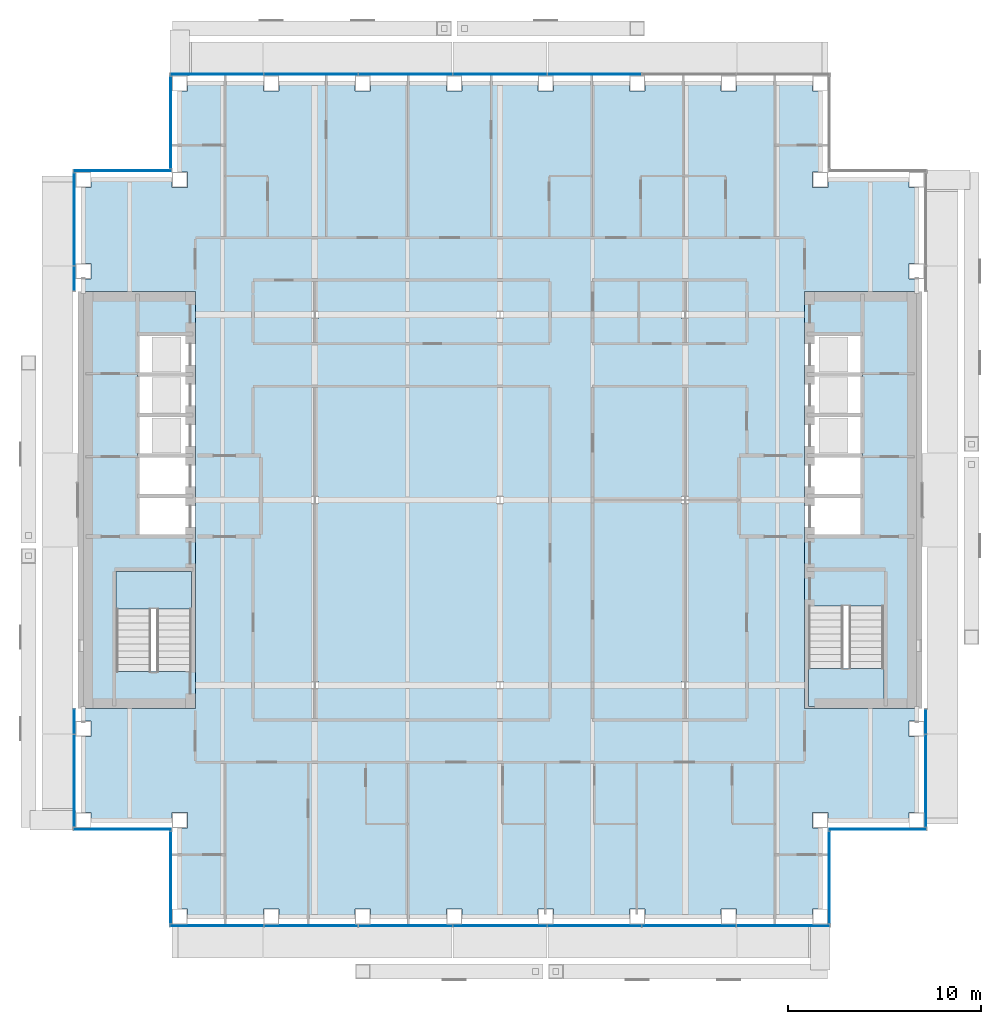
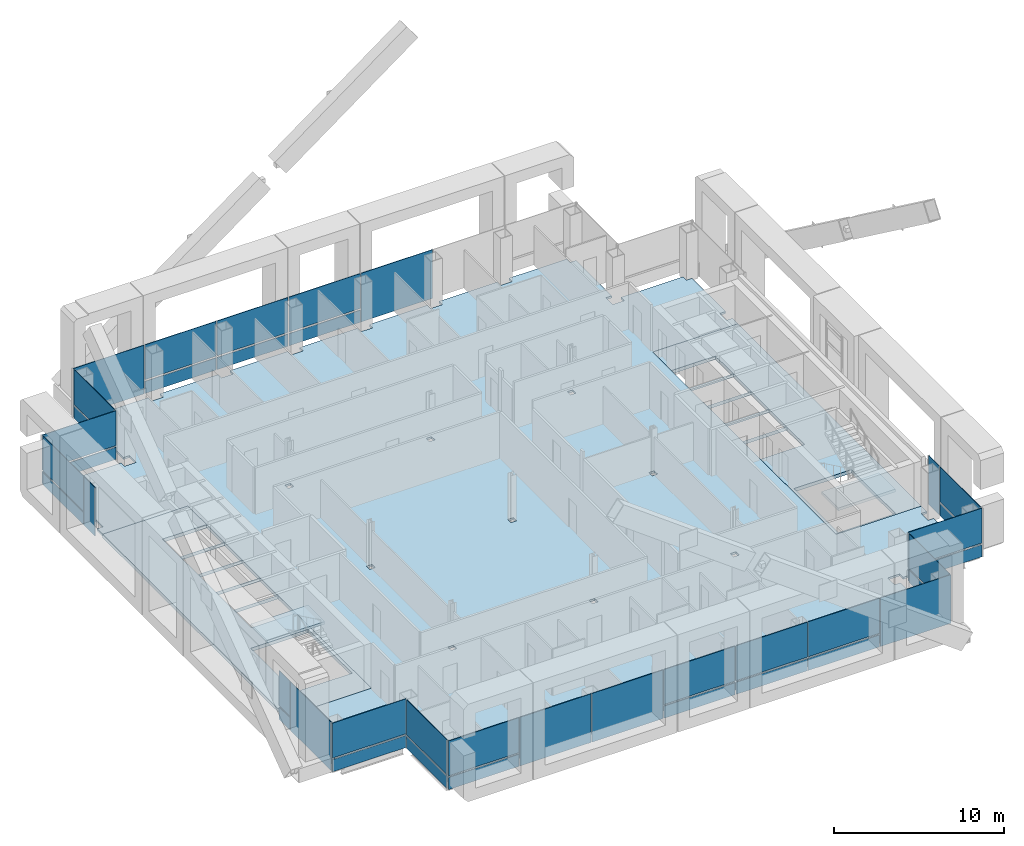
# One storey, part 11 of 22: 40 plates, 5 slabs, 13 elements without a shape of their own.
"""IFC4 building model written with IfcOpenShell, lengths in metres."""

from ifc_helpers import new_model, si_unit, direction, frame, origin, origin_2d, place, context, subcontext, project, spatial, polyline, rectangle, outline, extrude, material, layer, layer_set, type_object, element, aggregate, save


model = new_model("IFC4")

# Units and contexts
model_context = context("Model", 3, precision=1e-05, world=origin(), true_north=direction((0.0, 1.0)))
body_context = subcontext(model_context, "Body", "Model", "MODEL_VIEW")
ifc_project = project(units=[si_unit("LENGTHUNIT", "METRE"), si_unit("AREAUNIT", "SQUARE_METRE"), si_unit("VOLUMEUNIT", "CUBIC_METRE"), si_unit("PLANEANGLEUNIT", "RADIAN"), si_unit("MASSUNIT", "GRAM", prefix="KILO")], contexts=[model_context])

# Site, building, storey
site_placement = place(None, origin())
site = spatial("IfcSite", under=ifc_project, at=site_placement, CompositionType="ELEMENT")
building_placement = place(site_placement, origin())
building = spatial("IfcBuilding", under=site, at=building_placement, Name="Cobrizo Arcos Hotel Tower", CompositionType="ELEMENT")
storey_placement = place(building_placement, frame((0.0, 0.0, 155.0)))
storey = spatial("IfcBuildingStorey", under=building, at=storey_placement, Name="L39", CompositionType="ELEMENT", Elevation=155.0)

# Curtain wall, plates
ifc_material_1 = material(Name="Aluminium 6063-T6 anodised bronze", Category="aluminium")
curtain_wall_type = type_object("IfcCurtainWallType", Name="CW-A guest facade", PredefinedType="NOTDEFINED", material=ifc_material_1)
curtain_wall_1_placement = place(storey_placement, origin())
curtain_wall_1 = element("IfcCurtainWall", 1, at=curtain_wall_1_placement, inside=storey, type_object=curtain_wall_type, Name="CW-A L39 S face", PredefinedType="NOTDEFINED")
ifc_material_2 = material(Name="Glass clear laminated low-e", Category="glass")
ifc_layer_1 = layer(ifc_material_2, 0.0400390625)
ifc_layer_set_1 = layer_set([ifc_layer_1], Name="CW-A glass panel")
plate_type_1 = type_object("IfcPlateType", Name="CW-A glass panel", PredefinedType="CURTAIN_PANEL", material=ifc_layer_set_1)
plate_1_placement = place(storey_placement, frame((-14.68505859375, -22.074951171875, 0.990234375), z_axis=(0.0, 0.0, 1.0), x_axis=(1.0, 0.0, 0.0)))
plate_1 = element("IfcPlate", 2, at=plate_1_placement, type_object=plate_type_1, Name="CW-A glass panel 1396", PredefinedType="CURTAIN_PANEL", context=body_context, shape_type="SweptSolid", body=[
    extrude(rectangle(XDim=4.81005859375, YDim=0.0400390625, at=origin_2d()), origin(), (0.0, 0.0, 1.0), 2.510009765625),
])
plate_2_placement = place(storey_placement, frame((0.0, -22.074951171875, 0.990234375), z_axis=(0.0, 0.0, 1.0), x_axis=(1.0, 0.0, 0.0)))
plate_2 = element("IfcPlate", 3, at=plate_2_placement, type_object=plate_type_1, Name="CW-A glass panel 1399", PredefinedType="CURTAIN_PANEL", context=body_context, shape_type="SweptSolid", body=[
    extrude(rectangle(XDim=4.840087890625, YDim=0.0400390625, at=origin_2d()), origin(), (0.0, 0.0, 1.0), 2.510009765625),
])
plate_3_placement = place(storey_placement, frame((4.89990234375, -22.074951171875, 0.990234375), z_axis=(0.0, 0.0, 1.0), x_axis=(1.0, 0.0, 0.0)))
plate_3 = element("IfcPlate", 4, at=plate_3_placement, type_object=plate_type_1, Name="CW-A glass panel 1400", PredefinedType="CURTAIN_PANEL", context=body_context, shape_type="SweptSolid", body=[
    extrude(rectangle(XDim=4.840087890625, YDim=0.0400390625, at=origin_2d()), origin(), (0.0, 0.0, 1.0), 2.510009765625),
])
plate_4_placement = place(storey_placement, frame((9.800048828125, -22.074951171875, 0.990234375), z_axis=(0.0, 0.0, 1.0), x_axis=(1.0, 0.0, 0.0)))
plate_4 = element("IfcPlate", 5, at=plate_4_placement, type_object=plate_type_1, Name="CW-A glass panel 1401", PredefinedType="CURTAIN_PANEL", context=body_context, shape_type="SweptSolid", body=[
    extrude(rectangle(XDim=4.840087890625, YDim=0.0400390625, at=origin_2d()), origin(), (0.0, 0.0, 1.0), 2.510009765625),
])

# Curtain wall, plate
curtain_wall_2_placement = place(storey_placement, origin())
curtain_wall_2 = element("IfcCurtainWall", 6, at=curtain_wall_2_placement, inside=storey, type_object=curtain_wall_type, Name="CW-A L39 E face", PredefinedType="NOTDEFINED")
plate_5_placement = place(storey_placement, frame((17.074951171875, -19.574951171875, 0.990234375), z_axis=(0.0, 0.0, 1.0), x_axis=(0.0, 1.0, 0.0)))
plate_5 = element("IfcPlate", 7, at=plate_5_placement, type_object=plate_type_1, Name="CW-A glass panel 1403", PredefinedType="CURTAIN_PANEL", context=body_context, shape_type="SweptSolid", body=[
    extrude(rectangle(XDim=4.72998046875, YDim=0.0400390625, at=origin_2d()), origin(), (0.0, 0.0, 1.0), 2.510009765625),
])

curtain_wall_3_placement = place(storey_placement, origin())
curtain_wall_3 = element("IfcCurtainWall", 8, at=curtain_wall_3_placement, inside=storey, type_object=curtain_wall_type, Name="CW-A L39 S face", PredefinedType="NOTDEFINED")
plate_6_placement = place(storey_placement, frame((19.574951171875, -17.074951171875, 0.990234375), z_axis=(0.0, 0.0, 1.0), x_axis=(1.0, 0.0, 0.0)))
plate_6 = element("IfcPlate", 9, at=plate_6_placement, type_object=plate_type_1, Name="CW-A glass panel 1404", PredefinedType="CURTAIN_PANEL", context=body_context, shape_type="SweptSolid", body=[
    extrude(rectangle(XDim=5.030029296875, YDim=0.0400390625, at=origin_2d()), origin(), (0.0, 0.0, 1.0), 2.510009765625),
])

curtain_wall_4_placement = place(storey_placement, origin())
curtain_wall_4 = element("IfcCurtainWall", 10, at=curtain_wall_4_placement, inside=storey, type_object=curtain_wall_type, Name="CW-A L39 E face", PredefinedType="NOTDEFINED")
plate_7_placement = place(storey_placement, frame((22.074951171875, -14.556396484375, 0.990234375), z_axis=(0.0, 0.0, 1.0), x_axis=(0.0, 1.0, 0.0)))
plate_7 = element("IfcPlate", 11, at=plate_7_placement, type_object=plate_type_1, Name="CW-A glass panel 1405", PredefinedType="CURTAIN_PANEL", context=body_context, shape_type="SweptSolid", body=[
    extrude(rectangle(XDim=4.76708984375, YDim=0.0400390625, at=origin_2d()), origin(), (0.0, 0.0, 1.0), 2.510009765625),
])

# Curtain wall, plates
curtain_wall_5_placement = place(storey_placement, origin())
curtain_wall_5 = element("IfcCurtainWall", 12, at=curtain_wall_5_placement, inside=storey, type_object=curtain_wall_type, Name="CW-A L39 N face", PredefinedType="NOTDEFINED")
plate_8_placement = place(storey_placement, frame((0.0, 22.074951171875, 0.990234375), z_axis=(0.0, 0.0, 1.0), x_axis=(-1.0, 0.0, 0.0)))
plate_8 = element("IfcPlate", 13, at=plate_8_placement, type_object=plate_type_1, Name="CW-A glass panel 1414", PredefinedType="CURTAIN_PANEL", context=body_context, shape_type="SweptSolid", body=[
    extrude(rectangle(XDim=4.840087890625, YDim=0.0400390625, at=origin_2d()), origin(), (0.0, 0.0, 1.0), 2.510009765625),
])
plate_9_placement = place(storey_placement, frame((-4.89990234375, 22.074951171875, 0.990234375), z_axis=(0.0, 0.0, 1.0), x_axis=(-1.0, 0.0, 0.0)))
plate_9 = element("IfcPlate", 14, at=plate_9_placement, type_object=plate_type_1, Name="CW-A glass panel 1415", PredefinedType="CURTAIN_PANEL", context=body_context, shape_type="SweptSolid", body=[
    extrude(rectangle(XDim=4.840087890625, YDim=0.0400390625, at=origin_2d()), origin(), (0.0, 0.0, 1.0), 2.510009765625),
])
plate_10_placement = place(storey_placement, frame((-9.800048828125, 22.074951171875, 0.990234375), z_axis=(0.0, 0.0, 1.0), x_axis=(-1.0, 0.0, 0.0)))
plate_10 = element("IfcPlate", 15, at=plate_10_placement, type_object=plate_type_1, Name="CW-A glass panel 1416", PredefinedType="CURTAIN_PANEL", context=body_context, shape_type="SweptSolid", body=[
    extrude(rectangle(XDim=4.840087890625, YDim=0.0400390625, at=origin_2d()), origin(), (0.0, 0.0, 1.0), 2.510009765625),
])

# Curtain wall, plate
curtain_wall_6_placement = place(storey_placement, origin())
curtain_wall_6 = element("IfcCurtainWall", 16, at=curtain_wall_6_placement, inside=storey, type_object=curtain_wall_type, Name="CW-A L39 W face", PredefinedType="NOTDEFINED")
plate_11_placement = place(storey_placement, frame((-17.074951171875, 19.574951171875, 0.990234375), z_axis=(0.0, 0.0, 1.0), x_axis=(0.0, -1.0, 0.0)))
plate_11 = element("IfcPlate", 17, at=plate_11_placement, type_object=plate_type_1, Name="CW-A glass panel 1418", PredefinedType="CURTAIN_PANEL", context=body_context, shape_type="SweptSolid", body=[
    extrude(rectangle(XDim=4.72998046875, YDim=0.0400390625, at=origin_2d()), origin(), (0.0, 0.0, 1.0), 2.510009765625),
])

curtain_wall_7_placement = place(storey_placement, origin())
curtain_wall_7 = element("IfcCurtainWall", 18, at=curtain_wall_7_placement, inside=storey, type_object=curtain_wall_type, Name="CW-A L39 N face", PredefinedType="NOTDEFINED")
plate_12_placement = place(storey_placement, frame((-19.574951171875, 17.074951171875, 0.990234375), z_axis=(0.0, 0.0, 1.0), x_axis=(-1.0, 0.0, 0.0)))
plate_12 = element("IfcPlate", 19, at=plate_12_placement, type_object=plate_type_1, Name="CW-A glass panel 1419", PredefinedType="CURTAIN_PANEL", context=body_context, shape_type="SweptSolid", body=[
    extrude(rectangle(XDim=5.030029296875, YDim=0.0400390625, at=origin_2d()), origin(), (0.0, 0.0, 1.0), 2.510009765625),
])

curtain_wall_8_placement = place(storey_placement, origin())
curtain_wall_8 = element("IfcCurtainWall", 20, at=curtain_wall_8_placement, inside=storey, type_object=curtain_wall_type, Name="CW-A L39 W face", PredefinedType="NOTDEFINED")
plate_13_placement = place(storey_placement, frame((-22.074951171875, 14.556396484375, 0.990234375), z_axis=(0.0, 0.0, 1.0), x_axis=(0.0, -1.0, 0.0)))
plate_13 = element("IfcPlate", 21, at=plate_13_placement, type_object=plate_type_1, Name="CW-A glass panel 1420", PredefinedType="CURTAIN_PANEL", context=body_context, shape_type="SweptSolid", body=[
    extrude(rectangle(XDim=4.76708984375, YDim=0.0400390625, at=origin_2d()), origin(), (0.0, 0.0, 1.0), 2.510009765625),
])

curtain_wall_9_placement = place(storey_placement, origin())
curtain_wall_9 = element("IfcCurtainWall", 22, at=curtain_wall_9_placement, inside=storey, type_object=curtain_wall_type, Name="CW-A L39 W face", PredefinedType="NOTDEFINED")
plate_14_placement = place(storey_placement, frame((-22.074951171875, -11.486328125, 0.990234375), z_axis=(0.0, 0.0, 1.0), x_axis=(0.0, -1.0, 0.0)))
plate_14 = element("IfcPlate", 23, at=plate_14_placement, type_object=plate_type_1, Name="CW-A glass panel 1422", PredefinedType="CURTAIN_PANEL", context=body_context, shape_type="SweptSolid", body=[
    extrude(rectangle(XDim=1.2529296875, YDim=0.0400390625, at=origin_2d()), origin(), (0.0, 0.0, 1.0), 2.510009765625),
])

curtain_wall_10_placement = place(storey_placement, origin())
curtain_wall_10 = element("IfcCurtainWall", 24, at=curtain_wall_10_placement, inside=storey, type_object=curtain_wall_type, Name="CW-A L39 S face", PredefinedType="NOTDEFINED")
plate_15_placement = place(storey_placement, frame((-19.574951171875, -17.074951171875, 0.990234375), z_axis=(0.0, 0.0, 1.0), x_axis=(1.0, 0.0, 0.0)))
plate_15 = element("IfcPlate", 25, at=plate_15_placement, type_object=plate_type_1, Name="CW-A glass panel 1424", PredefinedType="CURTAIN_PANEL", context=body_context, shape_type="SweptSolid", body=[
    extrude(rectangle(XDim=5.030029296875, YDim=0.0400390625, at=origin_2d()), origin(), (0.0, 0.0, 1.0), 2.510009765625),
])

curtain_wall_11_placement = place(storey_placement, origin())
curtain_wall_11 = element("IfcCurtainWall", 26, at=curtain_wall_11_placement, inside=storey, type_object=curtain_wall_type, Name="CW-A L39 W face", PredefinedType="NOTDEFINED")
plate_16_placement = place(storey_placement, frame((-17.074951171875, -19.574951171875, 0.990234375), z_axis=(0.0, 0.0, 1.0), x_axis=(0.0, -1.0, 0.0)))
plate_16 = element("IfcPlate", 27, at=plate_16_placement, type_object=plate_type_1, Name="CW-A glass panel 1425", PredefinedType="CURTAIN_PANEL", context=body_context, shape_type="SweptSolid", body=[
    extrude(rectangle(XDim=4.72998046875, YDim=0.0400390625, at=origin_2d()), origin(), (0.0, 0.0, 1.0), 2.510009765625),
])

# Plate
ifc_material_3 = material(Name="Aluminium composite panel pale metal", Category="aluminium")
ifc_layer_2 = layer(ifc_material_3, 0.0400390625)
ifc_layer_set_2 = layer_set([ifc_layer_2], Name="CW-A spandrel panel")
plate_type_2 = type_object("IfcPlateType", Name="CW-A spandrel panel", PredefinedType="CURTAIN_PANEL", material=ifc_layer_set_2)
plate_17_placement = place(storey_placement, frame((-14.68505859375, -22.074951171875, 0.0), z_axis=(0.0, 0.0, 1.0), x_axis=(1.0, 0.0, 0.0)))
plate_17 = element("IfcPlate", 28, at=plate_17_placement, type_object=plate_type_2, Name="CW-A spandrel panel 1396", PredefinedType="CURTAIN_PANEL", context=body_context, shape_type="SweptSolid", body=[
    extrude(rectangle(XDim=4.81005859375, YDim=0.0400390625, at=origin_2d()), origin(), (0.0, 0.0, 1.0), 0.8701171875),
])

plate_18_placement = place(storey_placement, frame((-9.800048828125, -22.074951171875, 0.0), z_axis=(0.0, 0.0, 1.0), x_axis=(1.0, 0.0, 0.0)))
plate_18 = element("IfcPlate", 29, at=plate_18_placement, type_object=plate_type_2, Name="CW-A spandrel panel 1397", PredefinedType="CURTAIN_PANEL", context=body_context, shape_type="SweptSolid", body=[
    extrude(rectangle(XDim=4.840087890625, YDim=0.0400390625, at=origin_2d()), origin(), (0.0, 0.0, 1.0), 3.5),
])

plate_19_placement = place(storey_placement, frame((-4.89990234375, -22.074951171875, 0.0), z_axis=(0.0, 0.0, 1.0), x_axis=(1.0, 0.0, 0.0)))
plate_19 = element("IfcPlate", 30, at=plate_19_placement, type_object=plate_type_2, Name="CW-A spandrel panel 1398", PredefinedType="CURTAIN_PANEL", context=body_context, shape_type="SweptSolid", body=[
    extrude(rectangle(XDim=4.840087890625, YDim=0.0400390625, at=origin_2d()), origin(), (0.0, 0.0, 1.0), 3.5),
])

plate_20_placement = place(storey_placement, frame((0.0, -22.074951171875, 0.0), z_axis=(0.0, 0.0, 1.0), x_axis=(1.0, 0.0, 0.0)))
plate_20 = element("IfcPlate", 31, at=plate_20_placement, type_object=plate_type_2, Name="CW-A spandrel panel 1399", PredefinedType="CURTAIN_PANEL", context=body_context, shape_type="SweptSolid", body=[
    extrude(rectangle(XDim=4.840087890625, YDim=0.0400390625, at=origin_2d()), origin(), (0.0, 0.0, 1.0), 0.8701171875),
])

plate_21_placement = place(storey_placement, frame((4.89990234375, -22.074951171875, 0.0), z_axis=(0.0, 0.0, 1.0), x_axis=(1.0, 0.0, 0.0)))
plate_21 = element("IfcPlate", 32, at=plate_21_placement, type_object=plate_type_2, Name="CW-A spandrel panel 1400", PredefinedType="CURTAIN_PANEL", context=body_context, shape_type="SweptSolid", body=[
    extrude(rectangle(XDim=4.840087890625, YDim=0.0400390625, at=origin_2d()), origin(), (0.0, 0.0, 1.0), 0.8701171875),
])

plate_22_placement = place(storey_placement, frame((9.800048828125, -22.074951171875, 0.0), z_axis=(0.0, 0.0, 1.0), x_axis=(1.0, 0.0, 0.0)))
plate_22 = element("IfcPlate", 33, at=plate_22_placement, type_object=plate_type_2, Name="CW-A spandrel panel 1401", PredefinedType="CURTAIN_PANEL", context=body_context, shape_type="SweptSolid", body=[
    extrude(rectangle(XDim=4.840087890625, YDim=0.0400390625, at=origin_2d()), origin(), (0.0, 0.0, 1.0), 0.8701171875),
])

plate_23_placement = place(storey_placement, frame((14.68505859375, -22.074951171875, 0.0), z_axis=(0.0, 0.0, 1.0), x_axis=(1.0, 0.0, 0.0)))
plate_23 = element("IfcPlate", 34, at=plate_23_placement, type_object=plate_type_2, Name="CW-A spandrel panel 1402", PredefinedType="CURTAIN_PANEL", context=body_context, shape_type="SweptSolid", body=[
    extrude(rectangle(XDim=4.81005859375, YDim=0.0400390625, at=origin_2d()), origin(), (0.0, 0.0, 1.0), 3.5),
])

aggregate(curtain_wall_1, [plate_17, plate_1, plate_18, plate_19, plate_20, plate_2, plate_21, plate_3, plate_22, plate_4, plate_23])

plate_24_placement = place(storey_placement, frame((17.074951171875, -19.574951171875, 0.0), z_axis=(0.0, 0.0, 1.0), x_axis=(0.0, 1.0, 0.0)))
plate_24 = element("IfcPlate", 35, at=plate_24_placement, type_object=plate_type_2, Name="CW-A spandrel panel 1403", PredefinedType="CURTAIN_PANEL", context=body_context, shape_type="SweptSolid", body=[
    extrude(rectangle(XDim=4.72998046875, YDim=0.0400390625, at=origin_2d()), origin(), (0.0, 0.0, 1.0), 0.8701171875),
])

aggregate(curtain_wall_2, [plate_24, plate_5])

plate_25_placement = place(storey_placement, frame((19.574951171875, -17.074951171875, 0.0), z_axis=(0.0, 0.0, 1.0), x_axis=(1.0, 0.0, 0.0)))
plate_25 = element("IfcPlate", 36, at=plate_25_placement, type_object=plate_type_2, Name="CW-A spandrel panel 1404", PredefinedType="CURTAIN_PANEL", context=body_context, shape_type="SweptSolid", body=[
    extrude(rectangle(XDim=5.030029296875, YDim=0.0400390625, at=origin_2d()), origin(), (0.0, 0.0, 1.0), 0.8701171875),
])

aggregate(curtain_wall_3, [plate_25, plate_6])

plate_26_placement = place(storey_placement, frame((22.074951171875, -14.556396484375, 0.0), z_axis=(0.0, 0.0, 1.0), x_axis=(0.0, 1.0, 0.0)))
plate_26 = element("IfcPlate", 37, at=plate_26_placement, type_object=plate_type_2, Name="CW-A spandrel panel 1405", PredefinedType="CURTAIN_PANEL", context=body_context, shape_type="SweptSolid", body=[
    extrude(rectangle(XDim=4.76708984375, YDim=0.0400390625, at=origin_2d()), origin(), (0.0, 0.0, 1.0), 0.8701171875),
])

plate_27_placement = place(storey_placement, frame((22.074951171875, -11.486328125, 0.0), z_axis=(0.0, 0.0, 1.0), x_axis=(0.0, 1.0, 0.0)))
plate_27 = element("IfcPlate", 38, at=plate_27_placement, type_object=plate_type_2, Name="CW-A spandrel panel 1406", PredefinedType="CURTAIN_PANEL", context=body_context, shape_type="SweptSolid", body=[
    extrude(rectangle(XDim=1.2529296875, YDim=0.0400390625, at=origin_2d()), origin(), (0.0, 0.0, 1.0), 3.5),
])

aggregate(curtain_wall_4, [plate_26, plate_7, plate_27])

plate_28_placement = place(storey_placement, frame((4.89990234375, 22.074951171875, 0.0), z_axis=(0.0, 0.0, 1.0), x_axis=(-1.0, 0.0, 0.0)))
plate_28 = element("IfcPlate", 39, at=plate_28_placement, type_object=plate_type_2, Name="CW-A spandrel panel 1413", PredefinedType="CURTAIN_PANEL", context=body_context, shape_type="SweptSolid", body=[
    extrude(rectangle(XDim=4.840087890625, YDim=0.0400390625, at=origin_2d()), origin(), (0.0, 0.0, 1.0), 3.5),
])

plate_29_placement = place(storey_placement, frame((0.0, 22.074951171875, 0.0), z_axis=(0.0, 0.0, 1.0), x_axis=(-1.0, 0.0, 0.0)))
plate_29 = element("IfcPlate", 40, at=plate_29_placement, type_object=plate_type_2, Name="CW-A spandrel panel 1414", PredefinedType="CURTAIN_PANEL", context=body_context, shape_type="SweptSolid", body=[
    extrude(rectangle(XDim=4.840087890625, YDim=0.0400390625, at=origin_2d()), origin(), (0.0, 0.0, 1.0), 0.8701171875),
])

plate_30_placement = place(storey_placement, frame((-4.89990234375, 22.074951171875, 0.0), z_axis=(0.0, 0.0, 1.0), x_axis=(-1.0, 0.0, 0.0)))
plate_30 = element("IfcPlate", 41, at=plate_30_placement, type_object=plate_type_2, Name="CW-A spandrel panel 1415", PredefinedType="CURTAIN_PANEL", context=body_context, shape_type="SweptSolid", body=[
    extrude(rectangle(XDim=4.840087890625, YDim=0.0400390625, at=origin_2d()), origin(), (0.0, 0.0, 1.0), 0.8701171875),
])

plate_31_placement = place(storey_placement, frame((-9.800048828125, 22.074951171875, 0.0), z_axis=(0.0, 0.0, 1.0), x_axis=(-1.0, 0.0, 0.0)))
plate_31 = element("IfcPlate", 42, at=plate_31_placement, type_object=plate_type_2, Name="CW-A spandrel panel 1416", PredefinedType="CURTAIN_PANEL", context=body_context, shape_type="SweptSolid", body=[
    extrude(rectangle(XDim=4.840087890625, YDim=0.0400390625, at=origin_2d()), origin(), (0.0, 0.0, 1.0), 0.8701171875),
])

plate_32_placement = place(storey_placement, frame((-14.68505859375, 22.074951171875, 0.0), z_axis=(0.0, 0.0, 1.0), x_axis=(-1.0, 0.0, 0.0)))
plate_32 = element("IfcPlate", 43, at=plate_32_placement, type_object=plate_type_2, Name="CW-A spandrel panel 1417", PredefinedType="CURTAIN_PANEL", context=body_context, shape_type="SweptSolid", body=[
    extrude(rectangle(XDim=4.81005859375, YDim=0.0400390625, at=origin_2d()), origin(), (0.0, 0.0, 1.0), 3.5),
])

aggregate(curtain_wall_5, [plate_28, plate_29, plate_8, plate_30, plate_9, plate_31, plate_10, plate_32])

plate_33_placement = place(storey_placement, frame((-17.074951171875, 19.574951171875, 0.0), z_axis=(0.0, 0.0, 1.0), x_axis=(0.0, -1.0, 0.0)))
plate_33 = element("IfcPlate", 44, at=plate_33_placement, type_object=plate_type_2, Name="CW-A spandrel panel 1418", PredefinedType="CURTAIN_PANEL", context=body_context, shape_type="SweptSolid", body=[
    extrude(rectangle(XDim=4.72998046875, YDim=0.0400390625, at=origin_2d()), origin(), (0.0, 0.0, 1.0), 0.8701171875),
])

aggregate(curtain_wall_6, [plate_33, plate_11])

plate_34_placement = place(storey_placement, frame((-19.574951171875, 17.074951171875, 0.0), z_axis=(0.0, 0.0, 1.0), x_axis=(-1.0, 0.0, 0.0)))
plate_34 = element("IfcPlate", 45, at=plate_34_placement, type_object=plate_type_2, Name="CW-A spandrel panel 1419", PredefinedType="CURTAIN_PANEL", context=body_context, shape_type="SweptSolid", body=[
    extrude(rectangle(XDim=5.030029296875, YDim=0.0400390625, at=origin_2d()), origin(), (0.0, 0.0, 1.0), 0.8701171875),
])

aggregate(curtain_wall_7, [plate_34, plate_12])

plate_35_placement = place(storey_placement, frame((-22.074951171875, 14.556396484375, 0.0), z_axis=(0.0, 0.0, 1.0), x_axis=(0.0, -1.0, 0.0)))
plate_35 = element("IfcPlate", 46, at=plate_35_placement, type_object=plate_type_2, Name="CW-A spandrel panel 1420", PredefinedType="CURTAIN_PANEL", context=body_context, shape_type="SweptSolid", body=[
    extrude(rectangle(XDim=4.76708984375, YDim=0.0400390625, at=origin_2d()), origin(), (0.0, 0.0, 1.0), 0.8701171875),
])

plate_36_placement = place(storey_placement, frame((-22.074951171875, 11.486328125, 0.0), z_axis=(0.0, 0.0, 1.0), x_axis=(0.0, -1.0, 0.0)))
plate_36 = element("IfcPlate", 47, at=plate_36_placement, type_object=plate_type_2, Name="CW-A spandrel panel 1421", PredefinedType="CURTAIN_PANEL", context=body_context, shape_type="SweptSolid", body=[
    extrude(rectangle(XDim=1.2529296875, YDim=0.0400390625, at=origin_2d()), origin(), (0.0, 0.0, 1.0), 3.5),
])

aggregate(curtain_wall_8, [plate_35, plate_13, plate_36])

plate_37_placement = place(storey_placement, frame((-22.074951171875, -11.486328125, 0.0), z_axis=(0.0, 0.0, 1.0), x_axis=(0.0, -1.0, 0.0)))
plate_37 = element("IfcPlate", 48, at=plate_37_placement, type_object=plate_type_2, Name="CW-A spandrel panel 1422", PredefinedType="CURTAIN_PANEL", context=body_context, shape_type="SweptSolid", body=[
    extrude(rectangle(XDim=1.2529296875, YDim=0.0400390625, at=origin_2d()), origin(), (0.0, 0.0, 1.0), 0.8701171875),
])

plate_38_placement = place(storey_placement, frame((-22.074951171875, -14.556396484375, 0.0), z_axis=(0.0, 0.0, 1.0), x_axis=(0.0, -1.0, 0.0)))
plate_38 = element("IfcPlate", 49, at=plate_38_placement, type_object=plate_type_2, Name="CW-A spandrel panel 1423", PredefinedType="CURTAIN_PANEL", context=body_context, shape_type="SweptSolid", body=[
    extrude(rectangle(XDim=4.76708984375, YDim=0.0400390625, at=origin_2d()), origin(), (0.0, 0.0, 1.0), 3.5),
])

aggregate(curtain_wall_9, [plate_37, plate_14, plate_38])

plate_39_placement = place(storey_placement, frame((-19.574951171875, -17.074951171875, 0.0), z_axis=(0.0, 0.0, 1.0), x_axis=(1.0, 0.0, 0.0)))
plate_39 = element("IfcPlate", 50, at=plate_39_placement, type_object=plate_type_2, Name="CW-A spandrel panel 1424", PredefinedType="CURTAIN_PANEL", context=body_context, shape_type="SweptSolid", body=[
    extrude(rectangle(XDim=5.030029296875, YDim=0.0400390625, at=origin_2d()), origin(), (0.0, 0.0, 1.0), 0.8701171875),
])

aggregate(curtain_wall_10, [plate_39, plate_15])

plate_40_placement = place(storey_placement, frame((-17.074951171875, -19.574951171875, 0.0), z_axis=(0.0, 0.0, 1.0), x_axis=(0.0, -1.0, 0.0)))
plate_40 = element("IfcPlate", 51, at=plate_40_placement, type_object=plate_type_2, Name="CW-A spandrel panel 1425", PredefinedType="CURTAIN_PANEL", context=body_context, shape_type="SweptSolid", body=[
    extrude(rectangle(XDim=4.72998046875, YDim=0.0400390625, at=origin_2d()), origin(), (0.0, 0.0, 1.0), 0.8701171875),
])

aggregate(curtain_wall_11, [plate_40, plate_16])

# Slabs
ifc_material_4 = material(Name="Concrete f'c 35 MPa", Category="concrete")
ifc_layer_3 = layer(ifc_material_4, 0.14990234375)
ifc_layer_set_3 = layer_set([ifc_layer_3], Name="Composite floor slab 150 f'c 35")
slab_type_1 = type_object("IfcSlabType", Name="Composite floor slab 150 f'c 35", PredefinedType="FLOOR", material=ifc_layer_set_3)
slab_1_placement = place(storey_placement, frame((0.0, 0.0, -0.14990234375)))
element("IfcSlab", 52, at=slab_1_placement, inside=storey, type_object=slab_type_1, Name="Floor slab S5, L39, no. 01", PredefinedType="FLOOR", context=body_context, shape_type="SweptSolid", body=[
    extrude(outline(polyline([(-16.199951171875, -21.60009765625), (-16.199951171875, -21.199951171875), (-16.60009765625, -21.199951171875), (-16.60009765625, -17.0), (-16.199951171875, -17.0), (-16.199951171875, -16.199951171875), (-17.0, -16.199951171875), (-17.0, -16.60009765625), (-21.199951171875, -16.60009765625), (-21.199951171875, -16.199951171875), (-21.60009765625, -16.199951171875), (-21.60009765625, -12.257080078125), (-21.199951171875, -12.257080078125), (-21.199951171875, -11.45703125), (-21.60009765625, -11.45703125), (-21.60009765625, -10.800048828125), (-15.800048828125, -10.800048828125), (-15.800048828125, 10.800048828125), (-21.60009765625, 10.800048828125), (-21.60009765625, 11.45703125), (-21.199951171875, 11.45703125), (-21.199951171875, 12.257080078125), (-21.60009765625, 12.257080078125), (-21.60009765625, 16.199951171875), (-21.199951171875, 16.199951171875), (-21.199951171875, 16.60009765625), (-17.0, 16.60009765625), (-17.0, 16.199951171875), (-16.199951171875, 16.199951171875), (-16.199951171875, 17.0), (-16.60009765625, 17.0), (-16.60009765625, 21.199951171875), (-16.199951171875, 21.199951171875), (-16.199951171875, 21.60009765625), (-12.257080078125, 21.60009765625), (-12.257080078125, 21.199951171875), (-11.45703125, 21.199951171875), (-11.45703125, 21.60009765625), (-7.513916015625, 21.60009765625), (-7.513916015625, 21.199951171875), (-6.714111328125, 21.199951171875), (-6.714111328125, 21.60009765625), (-2.77099609375, 21.60009765625), (-2.77099609375, 21.199951171875), (-1.970947265625, 21.199951171875), (-1.970947265625, 21.60009765625), (1.970947265625, 21.60009765625), (1.970947265625, 21.199951171875), (2.77099609375, 21.199951171875), (2.77099609375, 21.60009765625), (6.714111328125, 21.60009765625), (6.714111328125, 21.199951171875), (7.513916015625, 21.199951171875), (7.513916015625, 21.60009765625), (11.45703125, 21.60009765625), (11.45703125, 21.199951171875), (12.257080078125, 21.199951171875), (12.257080078125, 21.60009765625), (16.199951171875, 21.60009765625), (16.199951171875, 21.199951171875), (16.60009765625, 21.199951171875), (16.60009765625, 17.0), (16.199951171875, 17.0), (16.199951171875, 16.199951171875), (17.0, 16.199951171875), (17.0, 16.60009765625), (21.199951171875, 16.60009765625), (21.199951171875, 16.199951171875), (21.60009765625, 16.199951171875), (21.60009765625, 12.257080078125), (21.199951171875, 12.257080078125), (21.199951171875, 11.45703125), (21.60009765625, 11.45703125), (21.60009765625, 10.800048828125), (15.800048828125, 10.800048828125), (15.800048828125, -10.800048828125), (21.60009765625, -10.800048828125), (21.60009765625, -11.45703125), (21.199951171875, -11.45703125), (21.199951171875, -12.257080078125), (21.60009765625, -12.257080078125), (21.60009765625, -16.199951171875), (21.199951171875, -16.199951171875), (21.199951171875, -16.60009765625), (17.0, -16.60009765625), (17.0, -16.199951171875), (16.199951171875, -16.199951171875), (16.199951171875, -17.0), (16.60009765625, -17.0), (16.60009765625, -21.199951171875), (16.199951171875, -21.199951171875), (16.199951171875, -21.60009765625), (12.257080078125, -21.60009765625), (12.257080078125, -21.199951171875), (11.45703125, -21.199951171875), (11.45703125, -21.60009765625), (7.513916015625, -21.60009765625), (7.513916015625, -21.199951171875), (6.714111328125, -21.199951171875), (6.714111328125, -21.60009765625), (2.77099609375, -21.60009765625), (2.77099609375, -21.199951171875), (1.970947265625, -21.199951171875), (1.970947265625, -21.60009765625), (-1.970947265625, -21.60009765625), (-1.970947265625, -21.199951171875), (-2.77099609375, -21.199951171875), (-2.77099609375, -21.60009765625), (-6.714111328125, -21.60009765625), (-6.714111328125, -21.199951171875), (-7.513916015625, -21.199951171875), (-7.513916015625, -21.60009765625), (-11.45703125, -21.60009765625), (-11.45703125, -21.199951171875), (-12.257080078125, -21.199951171875), (-12.257080078125, -21.60009765625), (-16.199951171875, -21.60009765625)]), holes=[polyline([(-0.186767578125, -9.78662109375), (0.186767578125, -9.78662109375), (0.186767578125, -9.413330078125), (-0.186767578125, -9.413330078125), (-0.186767578125, -9.78662109375)]), polyline([(-9.78662109375, -9.78662109375), (-9.413330078125, -9.78662109375), (-9.413330078125, -9.413330078125), (-9.78662109375, -9.413330078125), (-9.78662109375, -9.78662109375)]), polyline([(-9.413330078125, -0.186767578125), (-9.413330078125, 0.186767578125), (-9.78662109375, 0.186767578125), (-9.78662109375, -0.186767578125), (-9.413330078125, -0.186767578125)]), polyline([(0.186767578125, -0.186767578125), (0.186767578125, 0.186767578125), (-0.186767578125, 0.186767578125), (-0.186767578125, -0.186767578125), (0.186767578125, -0.186767578125)]), polyline([(-9.78662109375, 9.413330078125), (-9.413330078125, 9.413330078125), (-9.413330078125, 9.78662109375), (-9.78662109375, 9.78662109375), (-9.78662109375, 9.413330078125)]), polyline([(9.413330078125, -9.78662109375), (9.78662109375, -9.78662109375), (9.78662109375, -9.413330078125), (9.413330078125, -9.413330078125), (9.413330078125, -9.78662109375)]), polyline([(9.413330078125, -0.186767578125), (9.78662109375, -0.186767578125), (9.78662109375, 0.186767578125), (9.413330078125, 0.186767578125), (9.413330078125, -0.186767578125)]), polyline([(9.78662109375, 9.413330078125), (9.78662109375, 9.78662109375), (9.413330078125, 9.78662109375), (9.413330078125, 9.413330078125), (9.78662109375, 9.413330078125)]), polyline([(0.186767578125, 9.413330078125), (0.186767578125, 9.78662109375), (-0.186767578125, 9.78662109375), (-0.186767578125, 9.413330078125), (0.186767578125, 9.413330078125)])]), origin(), (0.0, 0.0, 1.0), 0.14990234375),
])
ifc_material_5 = material(Name="Concrete f'c 50 MPa", Category="concrete")
ifc_layer_4 = layer(ifc_material_5, 0.25)
ifc_layer_set_4 = layer_set([ifc_layer_4], Name="RC core floor slab 250 f'c 50")
slab_type_2 = type_object("IfcSlabType", Name="RC core floor slab 250 f'c 50", PredefinedType="FLOOR", material=ifc_layer_set_4)
slab_2_placement = place(storey_placement, frame((0.0, 0.0, -0.25)))
element("IfcSlab", 53, at=slab_2_placement, inside=storey, type_object=slab_type_2, Name="Core floor slab CS5, east core, L39", PredefinedType="FLOOR", context=body_context, shape_type="SweptSolid", body=[
    extrude(outline(polyline([(15.800048828125, 10.800048828125), (21.60009765625, 10.800048828125), (21.60009765625, -10.800048828125), (15.800048828125, -10.800048828125), (15.800048828125, 10.800048828125)]), holes=[polyline([(19.89794921875, -10.697998046875), (19.89794921875, -5.501953125), (16.001953125, -5.501953125), (16.001953125, -10.697998046875), (19.89794921875, -10.697998046875)]), polyline([(15.802001953125, 0.197998046875), (15.802001953125, -1.89794921875), (18.798095703125, -1.89794921875), (18.798095703125, 0.197998046875), (15.802001953125, 0.197998046875)]), polyline([(15.802001953125, 2.298095703125), (15.802001953125, 0.201904296875), (18.798095703125, 0.201904296875), (18.798095703125, 2.298095703125), (15.802001953125, 2.298095703125)]), polyline([(15.802001953125, 4.39794921875), (15.802001953125, 2.302001953125), (18.798095703125, 2.302001953125), (18.798095703125, 4.39794921875), (15.802001953125, 4.39794921875)]), polyline([(18.798095703125, 6.498046875), (15.802001953125, 6.498046875), (15.802001953125, 4.402099609375), (18.798095703125, 4.402099609375), (18.798095703125, 6.498046875)]), polyline([(18.798095703125, 8.597900390625), (15.802001953125, 8.597900390625), (15.802001953125, 6.501953125), (18.798095703125, 6.501953125), (18.798095703125, 8.597900390625)])]), origin(), (0.0, 0.0, 1.0), 0.25),
])
slab_3_placement = place(storey_placement, frame((0.0, 0.0, -0.25)))
element("IfcSlab", 54, at=slab_3_placement, inside=storey, type_object=slab_type_2, Name="Core floor slab CS5, west core, L39", PredefinedType="FLOOR", context=body_context, shape_type="SweptSolid", body=[
    extrude(outline(polyline([(-21.60009765625, 10.800048828125), (-15.800048828125, 10.800048828125), (-15.800048828125, -10.800048828125), (-21.60009765625, -10.800048828125), (-21.60009765625, 10.800048828125)]), holes=[polyline([(-19.89794921875, -3.701904296875), (-19.89794921875, -8.89794921875), (-16.001953125, -8.89794921875), (-16.001953125, -3.701904296875), (-19.89794921875, -3.701904296875)]), polyline([(-18.798095703125, 0.197998046875), (-18.798095703125, -1.89794921875), (-15.802001953125, -1.89794921875), (-15.802001953125, 0.197998046875), (-18.798095703125, 0.197998046875)]), polyline([(-18.798095703125, 2.298095703125), (-18.798095703125, 0.201904296875), (-15.802001953125, 0.201904296875), (-15.802001953125, 2.298095703125), (-18.798095703125, 2.298095703125)]), polyline([(-18.798095703125, 4.39794921875), (-18.798095703125, 2.302001953125), (-15.802001953125, 2.302001953125), (-15.802001953125, 4.39794921875), (-18.798095703125, 4.39794921875)]), polyline([(-15.802001953125, 6.498046875), (-18.798095703125, 6.498046875), (-18.798095703125, 4.402099609375), (-15.802001953125, 4.402099609375), (-15.802001953125, 6.498046875)]), polyline([(-15.802001953125, 8.597900390625), (-18.798095703125, 8.597900390625), (-18.798095703125, 6.501953125), (-15.802001953125, 6.501953125), (-15.802001953125, 8.597900390625)])]), origin(), (0.0, 0.0, 1.0), 0.25),
])

# Stair, slab
ifc_material_6 = material(Name="Concrete f'c 40 MPa", Category="concrete")
stair_type = type_object("IfcStairType", Name="Exit stair", PredefinedType="HALF_TURN_STAIR", material=ifc_material_6)
stair_1_placement = place(storey_placement, origin())
stair_1 = element("IfcStair", 55, at=stair_1_placement, inside=storey, type_object=stair_type, Name="L39 Exit stair ST-W", PredefinedType="HALF_TURN_STAIR")
ifc_layer_5 = layer(ifc_material_6, 0.199951171875)
ifc_layer_set_5 = layer_set([ifc_layer_5], Name="Stair landing")
slab_type_3 = type_object("IfcSlabType", Name="Stair landing", PredefinedType="LANDING", material=ifc_layer_set_5)
slab_4_placement = place(storey_placement, frame((0.0, 0.0, 1.550048828125)))
slab_4 = element("IfcSlab", 56, at=slab_4_placement, type_object=slab_type_3, Name="ST-W landing 1", PredefinedType="LANDING", context=body_context, shape_type="SweptSolid", body=[
    extrude(outline(polyline([(-16.0, -5.659912109375), (-16.0, -3.699951171875), (-19.89990234375, -3.699951171875), (-19.89990234375, -5.659912109375), (-16.0, -5.659912109375)])), origin(), (0.0, 0.0, 1.0), 0.199951171875),
])
aggregate(stair_1, [slab_4])

stair_2_placement = place(storey_placement, origin())
stair_2 = element("IfcStair", 57, at=stair_2_placement, inside=storey, type_object=stair_type, Name="L39 Exit stair ST-E", PredefinedType="HALF_TURN_STAIR")
slab_5_placement = place(storey_placement, frame((0.0, 0.0, 1.550048828125)))
slab_5 = element("IfcSlab", 58, at=slab_5_placement, type_object=slab_type_3, Name="ST-E landing 1", PredefinedType="LANDING", context=body_context, shape_type="SweptSolid", body=[
    extrude(outline(polyline([(16.0, -8.739990234375), (16.0, -10.699951171875), (19.89990234375, -10.699951171875), (19.89990234375, -8.739990234375), (16.0, -8.739990234375)])), origin(), (0.0, 0.0, 1.0), 0.199951171875),
])
aggregate(stair_2, [slab_5])

save(model, "model.ifc")
